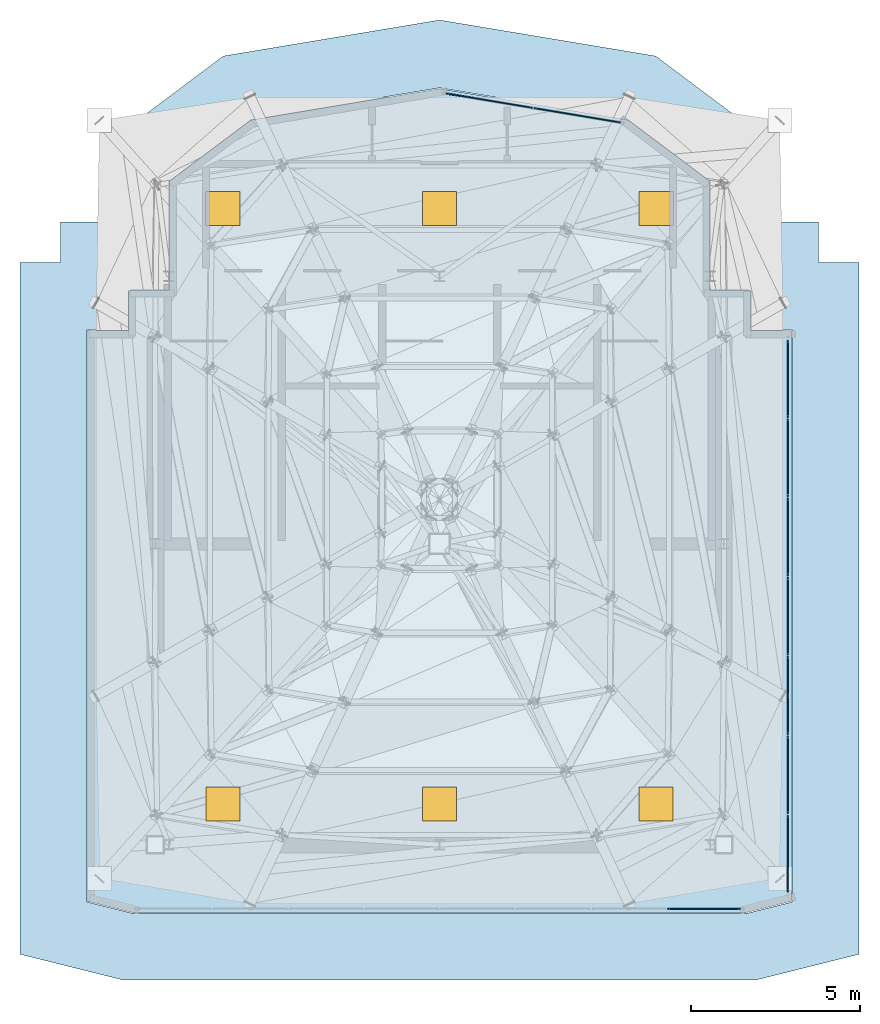
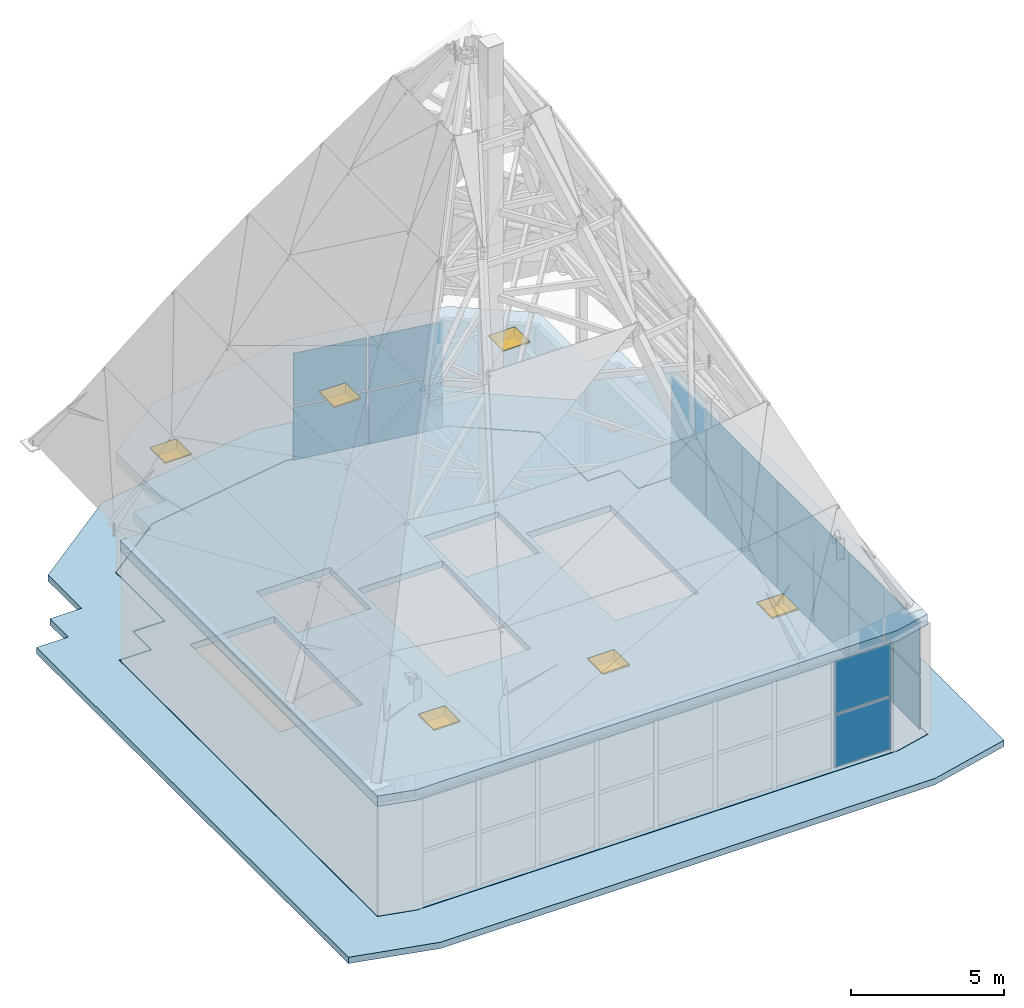
# One storey, part 19 of 30: 20 plates, 6 doors, 3 slabs, 6 openings, 3 elements without a shape of their own.
"""IFC4 building model written with IfcOpenShell, lengths in metres."""

from ifc_helpers import new_model, si_unit, direction, frame, origin, origin_2d, place, context, subcontext, project, spatial, polyline, rectangle, outline, extrude, material, layer, layer_set, type_object, element, fill, aggregate, save


model = new_model("IFC4")

# Units and contexts
model_context = context("Model", 3, precision=1e-05, world=origin(), true_north=direction((0.0, 1.0)))
body_context = subcontext(model_context, "Body", "Model", "MODEL_VIEW")
ifc_project = project(units=[si_unit("LENGTHUNIT", "METRE"), si_unit("AREAUNIT", "SQUARE_METRE"), si_unit("VOLUMEUNIT", "CUBIC_METRE"), si_unit("PLANEANGLEUNIT", "RADIAN"), si_unit("MASSUNIT", "GRAM", prefix="KILO")], contexts=[model_context])

# Site, building, storey
site_placement = place(None, origin())
site = spatial("IfcSite", under=ifc_project, at=site_placement, CompositionType="ELEMENT")
building_placement = place(site_placement, origin())
building = spatial("IfcBuilding", under=site, at=building_placement, Name="Haolan Belvedere Tower", CompositionType="ELEMENT")
storey_placement = place(building_placement, frame((0.0, 0.0, 333.0)))
storey = spatial("IfcBuildingStorey", under=building, at=storey_placement, Name="L83", CompositionType="ELEMENT", Elevation=333.0)

# Curtain wall, plates
ifc_material_1 = material(Name="Anodised champagne-silver aluminium 6063-T6 and Low-E glass", Category="aluminium")
ifc_layer_1 = layer(ifc_material_1, 0.172119140625, Name="Anodised champagne-silver aluminium 6063-T6 and Low-E glass")
ifc_layer_set_1 = layer_set([ifc_layer_1], Name="Anodised champagne-silver aluminium 6063-T6 and Low-E glass")
curtain_wall_type = type_object("IfcCurtainWallType", Name="CW-SYS-07", PredefinedType="NOTDEFINED", material=ifc_layer_set_1)
curtain_wall_1_placement = place(storey_placement, origin())
curtain_wall_1 = element("IfcCurtainWall", 1, at=curtain_wall_1_placement, inside=storey, type_object=curtain_wall_type, Name="L83 CW-SYS-07 ribbon curtain wall 2.1", PredefinedType="NOTDEFINED")
ifc_material_2 = material(Name="Double silver Low-E laminated insulating glass", Category="glass")
ifc_layer_2 = layer(ifc_material_2, 0.030029296875, Name="Double silver Low-E laminated insulating glass")
ifc_layer_set_2 = layer_set([ifc_layer_2], Name="Double silver Low-E laminated insulating glass")
plate_type = type_object("IfcPlateType", Name="CW-SYS-07-PNL", PredefinedType="CURTAIN_PANEL", material=ifc_layer_set_2)
plate_1_placement = place(storey_placement, frame((46.21923828125, 24.510009765625, 0.05810546875), z_axis=(0.0, 0.0, 1.0), x_axis=(1.0, 0.0, 0.0)))
plate_1 = element("IfcPlate", 2, at=plate_1_placement, type_object=plate_type, Name="CW-07 panel 8.1", PredefinedType="CURTAIN_PANEL", context=body_context, shape_type="SweptSolid", body=[
    extrude(rectangle(XDim=2.1455078125, YDim=0.030029296875, at=origin_2d()), origin(), (0.0, 0.0, 1.0), 2.10302734375),
])
plate_2_placement = place(storey_placement, frame((46.21923828125, 24.510009765625, 2.218994140625), z_axis=(0.0, 0.0, 1.0), x_axis=(1.0, 0.0, 0.0)))
plate_2 = element("IfcPlate", 3, at=plate_2_placement, type_object=plate_type, Name="CW-07 panel 8.2", PredefinedType="CURTAIN_PANEL", context=body_context, shape_type="SweptSolid", body=[
    extrude(rectangle(XDim=2.1455078125, YDim=0.030029296875, at=origin_2d()), origin(), (0.0, 0.0, 1.0), 2.10302734375),
])
aggregate(curtain_wall_1, [plate_1, plate_2])

curtain_wall_2_placement = place(storey_placement, origin())
curtain_wall_2 = element("IfcCurtainWall", 4, at=curtain_wall_2_placement, inside=storey, type_object=curtain_wall_type, Name="L83 CW-SYS-07 ribbon curtain wall 4.1", PredefinedType="NOTDEFINED")
plate_3_placement = place(storey_placement, frame((48.68994140625, 26.135986328125, 0.05810546875), z_axis=(0.0, 0.0, 1.0), x_axis=(0.0, 1.0, 0.0)))
plate_3 = element("IfcPlate", 5, at=plate_3_placement, type_object=plate_type, Name="CW-07 panel 1.1", PredefinedType="CURTAIN_PANEL", context=body_context, shape_type="SweptSolid", body=[
    extrude(rectangle(XDim=2.25, YDim=0.030029296875, at=origin_2d()), origin(), (0.0, 0.0, 1.0), 2.10302734375),
])
plate_4_placement = place(storey_placement, frame((48.68994140625, 26.135986328125, 2.218994140625), z_axis=(0.0, 0.0, 1.0), x_axis=(0.0, 1.0, 0.0)))
plate_4 = element("IfcPlate", 6, at=plate_4_placement, type_object=plate_type, Name="CW-07 panel 1.2", PredefinedType="CURTAIN_PANEL", context=body_context, shape_type="SweptSolid", body=[
    extrude(rectangle(XDim=2.25, YDim=0.030029296875, at=origin_2d()), origin(), (0.0, 0.0, 1.0), 2.10302734375),
])
plate_5_placement = place(storey_placement, frame((48.68994140625, 28.46337890625, 0.05810546875), z_axis=(0.0, 0.0, 1.0), x_axis=(0.0, 1.0, 0.0)))
plate_5 = element("IfcPlate", 7, at=plate_5_placement, type_object=plate_type, Name="CW-07 panel 2.1", PredefinedType="CURTAIN_PANEL", context=body_context, shape_type="SweptSolid", body=[
    extrude(rectangle(XDim=2.281005859375, YDim=0.030029296875, at=origin_2d()), origin(), (0.0, 0.0, 1.0), 2.10302734375),
])
plate_6_placement = place(storey_placement, frame((48.68994140625, 28.46337890625, 2.218994140625), z_axis=(0.0, 0.0, 1.0), x_axis=(0.0, 1.0, 0.0)))
plate_6 = element("IfcPlate", 8, at=plate_6_placement, type_object=plate_type, Name="CW-07 panel 2.2", PredefinedType="CURTAIN_PANEL", context=body_context, shape_type="SweptSolid", body=[
    extrude(rectangle(XDim=2.281005859375, YDim=0.030029296875, at=origin_2d()), origin(), (0.0, 0.0, 1.0), 2.10302734375),
])
plate_7_placement = place(storey_placement, frame((48.68994140625, 30.806396484375, 0.05810546875), z_axis=(0.0, 0.0, 1.0), x_axis=(0.0, 1.0, 0.0)))
plate_7 = element("IfcPlate", 9, at=plate_7_placement, type_object=plate_type, Name="CW-07 panel 3.1", PredefinedType="CURTAIN_PANEL", context=body_context, shape_type="SweptSolid", body=[
    extrude(rectangle(XDim=2.281005859375, YDim=0.030029296875, at=origin_2d()), origin(), (0.0, 0.0, 1.0), 2.10302734375),
])
plate_8_placement = place(storey_placement, frame((48.68994140625, 30.806396484375, 2.218994140625), z_axis=(0.0, 0.0, 1.0), x_axis=(0.0, 1.0, 0.0)))
plate_8 = element("IfcPlate", 10, at=plate_8_placement, type_object=plate_type, Name="CW-07 panel 3.2", PredefinedType="CURTAIN_PANEL", context=body_context, shape_type="SweptSolid", body=[
    extrude(rectangle(XDim=2.281005859375, YDim=0.030029296875, at=origin_2d()), origin(), (0.0, 0.0, 1.0), 2.10302734375),
])
plate_9_placement = place(storey_placement, frame((48.68994140625, 33.1494140625, 0.05810546875), z_axis=(0.0, 0.0, 1.0), x_axis=(0.0, 1.0, 0.0)))
plate_9 = element("IfcPlate", 11, at=plate_9_placement, type_object=plate_type, Name="CW-07 panel 4.1", PredefinedType="CURTAIN_PANEL", context=body_context, shape_type="SweptSolid", body=[
    extrude(rectangle(XDim=2.281005859375, YDim=0.030029296875, at=origin_2d()), origin(), (0.0, 0.0, 1.0), 2.10302734375),
])
plate_10_placement = place(storey_placement, frame((48.68994140625, 33.1494140625, 2.218994140625), z_axis=(0.0, 0.0, 1.0), x_axis=(0.0, 1.0, 0.0)))
plate_10 = element("IfcPlate", 12, at=plate_10_placement, type_object=plate_type, Name="CW-07 panel 4.2", PredefinedType="CURTAIN_PANEL", context=body_context, shape_type="SweptSolid", body=[
    extrude(rectangle(XDim=2.281005859375, YDim=0.030029296875, at=origin_2d()), origin(), (0.0, 0.0, 1.0), 2.10302734375),
])
plate_11_placement = place(storey_placement, frame((48.68994140625, 35.492431640625, 0.05810546875), z_axis=(0.0, 0.0, 1.0), x_axis=(0.0, 1.0, 0.0)))
plate_11 = element("IfcPlate", 13, at=plate_11_placement, type_object=plate_type, Name="CW-07 panel 5.1", PredefinedType="CURTAIN_PANEL", context=body_context, shape_type="SweptSolid", body=[
    extrude(rectangle(XDim=2.281005859375, YDim=0.030029296875, at=origin_2d()), origin(), (0.0, 0.0, 1.0), 2.10302734375),
])
plate_12_placement = place(storey_placement, frame((48.68994140625, 35.492431640625, 2.218994140625), z_axis=(0.0, 0.0, 1.0), x_axis=(0.0, 1.0, 0.0)))
plate_12 = element("IfcPlate", 14, at=plate_12_placement, type_object=plate_type, Name="CW-07 panel 5.2", PredefinedType="CURTAIN_PANEL", context=body_context, shape_type="SweptSolid", body=[
    extrude(rectangle(XDim=2.281005859375, YDim=0.030029296875, at=origin_2d()), origin(), (0.0, 0.0, 1.0), 2.10302734375),
])
plate_13_placement = place(storey_placement, frame((48.68994140625, 37.83544921875, 0.05810546875), z_axis=(0.0, 0.0, 1.0), x_axis=(0.0, 1.0, 0.0)))
plate_13 = element("IfcPlate", 15, at=plate_13_placement, type_object=plate_type, Name="CW-07 panel 6.1", PredefinedType="CURTAIN_PANEL", context=body_context, shape_type="SweptSolid", body=[
    extrude(rectangle(XDim=2.281005859375, YDim=0.030029296875, at=origin_2d()), origin(), (0.0, 0.0, 1.0), 2.10302734375),
])
plate_14_placement = place(storey_placement, frame((48.68994140625, 37.83544921875, 2.218994140625), z_axis=(0.0, 0.0, 1.0), x_axis=(0.0, 1.0, 0.0)))
plate_14 = element("IfcPlate", 16, at=plate_14_placement, type_object=plate_type, Name="CW-07 panel 6.2", PredefinedType="CURTAIN_PANEL", context=body_context, shape_type="SweptSolid", body=[
    extrude(rectangle(XDim=2.281005859375, YDim=0.030029296875, at=origin_2d()), origin(), (0.0, 0.0, 1.0), 2.10302734375),
])
plate_15_placement = place(storey_placement, frame((48.68994140625, 40.1630859375, 0.05810546875), z_axis=(0.0, 0.0, 1.0), x_axis=(0.0, 1.0, 0.0)))
plate_15 = element("IfcPlate", 17, at=plate_15_placement, type_object=plate_type, Name="CW-07 panel 7.1", PredefinedType="CURTAIN_PANEL", context=body_context, shape_type="SweptSolid", body=[
    extrude(rectangle(XDim=2.25, YDim=0.030029296875, at=origin_2d()), origin(), (0.0, 0.0, 1.0), 2.10302734375),
])
plate_16_placement = place(storey_placement, frame((48.68994140625, 40.1630859375, 2.218994140625), z_axis=(0.0, 0.0, 1.0), x_axis=(0.0, 1.0, 0.0)))
plate_16 = element("IfcPlate", 18, at=plate_16_placement, type_object=plate_type, Name="CW-07 panel 7.2", PredefinedType="CURTAIN_PANEL", context=body_context, shape_type="SweptSolid", body=[
    extrude(rectangle(XDim=2.25, YDim=0.030029296875, at=origin_2d()), origin(), (0.0, 0.0, 1.0), 2.10302734375),
])
aggregate(curtain_wall_2, [plate_3, plate_4, plate_5, plate_6, plate_7, plate_8, plate_9, plate_10, plate_11, plate_12, plate_13, plate_14, plate_15, plate_16])

curtain_wall_3_placement = place(storey_placement, origin())
curtain_wall_3 = element("IfcCurtainWall", 19, at=curtain_wall_3_placement, inside=storey, type_object=curtain_wall_type, Name="L83 CW-SYS-07 ribbon curtain wall 10.1", PredefinedType="NOTDEFINED")
plate_17_placement = place(storey_placement, frame((42.467529296875, 47.955322265625, 0.05810546875), z_axis=(0.0, 0.0, 1.0), x_axis=(-0.986393923832, 0.164398987305, 0.0)))
plate_17 = element("IfcPlate", 20, at=plate_17_placement, type_object=plate_type, Name="CW-07 panel 1.1", PredefinedType="CURTAIN_PANEL", context=body_context, shape_type="SweptSolid", body=[
    extrude(rectangle(XDim=2.572998046875, YDim=0.030029296875, at=origin_2d()), origin(), (0.0, 0.0, 1.0), 2.10302734375),
])
plate_18_placement = place(storey_placement, frame((42.467529296875, 47.955322265625, 2.218994140625), z_axis=(0.0, 0.0, 1.0), x_axis=(-0.986393923832, 0.164398987305, 0.0)))
plate_18 = element("IfcPlate", 21, at=plate_18_placement, type_object=plate_type, Name="CW-07 panel 1.2", PredefinedType="CURTAIN_PANEL", context=body_context, shape_type="SweptSolid", body=[
    extrude(rectangle(XDim=2.572998046875, YDim=0.030029296875, at=origin_2d()), origin(), (0.0, 0.0, 1.0), 2.10302734375),
])
plate_19_placement = place(storey_placement, frame((39.868408203125, 48.388671875, 0.05810546875), z_axis=(0.0, 0.0, 1.0), x_axis=(-0.986393923832, 0.164398987305, 0.0)))
plate_19 = element("IfcPlate", 22, at=plate_19_placement, type_object=plate_type, Name="CW-07 panel 2.1", PredefinedType="CURTAIN_PANEL", context=body_context, shape_type="SweptSolid", body=[
    extrude(rectangle(XDim=2.572998046875, YDim=0.030029296875, at=origin_2d()), origin(), (0.0, 0.0, 1.0), 2.10302734375),
])
plate_20_placement = place(storey_placement, frame((39.868408203125, 48.388671875, 2.218994140625), z_axis=(0.0, 0.0, 1.0), x_axis=(-0.986393923832, 0.164398987305, 0.0)))
plate_20 = element("IfcPlate", 23, at=plate_20_placement, type_object=plate_type, Name="CW-07 panel 2.2", PredefinedType="CURTAIN_PANEL", context=body_context, shape_type="SweptSolid", body=[
    extrude(rectangle(XDim=2.572998046875, YDim=0.030029296875, at=origin_2d()), origin(), (0.0, 0.0, 1.0), 2.10302734375),
])
aggregate(curtain_wall_3, [plate_17, plate_18, plate_19, plate_20])

# Slabs
ifc_material_3 = material(Name="Concrete C40/50", Category="concrete")
ifc_layer_3 = layer(ifc_material_3, 0.25, Name="Concrete C40/50")
ifc_layer_set_3 = layer_set([ifc_layer_3], Name="Concrete C40/50")
slab_type_1 = type_object("IfcSlabType", Name="SL-FLR-250", PredefinedType="FLOOR", material=ifc_layer_set_3)
slab_1_placement = place(storey_placement, frame((0.0, 0.0, -0.25)))
element("IfcSlab", 24, at=slab_1_placement, inside=storey, type_object=slab_type_1, Name="L83 structural floor slab", PredefinedType="FLOOR", context=body_context, shape_type="SweptSolid", body=[
    extrude(outline(polyline([(28.0, 41.60009765625), (29.199951171875, 41.60009765625), (29.199951171875, 42.800048828125), (30.39990234375, 42.800048828125), (30.39990234375, 46.0), (32.819580078125, 47.814697265625), (38.39990234375, 48.744873046875), (43.980224609375, 47.814697265625), (46.39990234375, 46.0), (46.39990234375, 42.800048828125), (47.60009765625, 42.800048828125), (47.60009765625, 41.60009765625), (48.800048828125, 41.60009765625), (48.800048828125, 24.72314453125), (47.507568359375, 24.39990234375), (29.29248046875, 24.39990234375), (28.0, 24.72314453125), (28.0, 41.60009765625)]), holes=[polyline([(30.449951171875, 41.22998046875), (30.449951171875, 35.449951171875), (33.6298828125, 35.449951171875), (33.6298828125, 41.22998046875), (30.449951171875, 41.22998046875)]), polyline([(36.81005859375, 41.22998046875), (36.81005859375, 35.449951171875), (39.989990234375, 35.449951171875), (39.989990234375, 41.22998046875), (36.81005859375, 41.22998046875)]), polyline([(43.169921875, 41.22998046875), (43.169921875, 35.449951171875), (46.35009765625, 35.449951171875), (46.35009765625, 41.22998046875), (43.169921875, 41.22998046875)]), polyline([(33.830078125, 40.050048828125), (36.610107421875, 40.050048828125), (36.610107421875, 42.75), (33.830078125, 42.75), (33.830078125, 40.050048828125)]), polyline([(40.18994140625, 40.050048828125), (42.969970703125, 40.050048828125), (42.969970703125, 42.75), (40.18994140625, 42.75), (40.18994140625, 40.050048828125)])]), origin(), (0.0, 0.0, 1.0), 0.25),
])
slab_2_placement = place(storey_placement, frame((0.0, 0.0, -0.25)))
element("IfcSlab", 25, at=slab_2_placement, inside=storey, type_object=slab_type_1, Name="L82 crown mechanical plant step-back roof slab", PredefinedType="ROOF", context=body_context, shape_type="SweptSolid", body=[
    extrude(outline(polyline([(26.0, 43.60009765625), (27.199951171875, 43.60009765625), (27.199951171875, 44.800048828125), (28.39990234375, 44.800048828125), (28.39990234375, 47.0), (32.009765625, 49.70751953125), (38.39990234375, 50.7724609375), (44.790283203125, 49.70751953125), (48.39990234375, 47.0), (48.39990234375, 44.800048828125), (49.60009765625, 44.800048828125), (49.60009765625, 43.60009765625), (50.800048828125, 43.60009765625), (50.800048828125, 23.16162109375), (47.75390625, 22.39990234375), (29.046142578125, 22.39990234375), (26.0, 23.16162109375), (26.0, 43.60009765625)]), holes=[polyline([(27.97998046875, 41.6201171875), (29.179931640625, 41.6201171875), (29.179931640625, 42.820068359375), (30.3798828125, 42.820068359375), (30.3798828125, 46.010009765625), (32.8115234375, 47.833740234375), (38.39990234375, 48.76513671875), (43.98828125, 47.833740234375), (46.419921875, 46.010009765625), (46.419921875, 42.820068359375), (47.6201171875, 42.820068359375), (47.6201171875, 41.6201171875), (48.820068359375, 41.6201171875), (48.820068359375, 24.70751953125), (47.510009765625, 24.3798828125), (29.289794921875, 24.3798828125), (27.97998046875, 24.70751953125), (27.97998046875, 41.6201171875)])]), origin(), (0.0, 0.0, 1.0), 0.25),
])

# Slab, openings, doors
ifc_material_4 = material(Name="Concrete C50/60", Category="concrete")
ifc_layer_4 = layer(ifc_material_4, 0.419921875, Name="Concrete C50/60")
ifc_layer_set_4 = layer_set([ifc_layer_4], Name="Concrete C50/60")
slab_type_2 = type_object("IfcSlabType", Name="SL-FLR-420", PredefinedType="FLOOR", material=ifc_layer_set_4)
slab_3_placement = place(storey_placement, frame((0.0, 0.0, 4.3798828125)))
slab_3 = element("IfcSlab", 26, at=slab_3_placement, inside=storey, type_object=slab_type_2, Name="L83 crown plant top structural diaphragm deck", PredefinedType="FLOOR", context=body_context, shape_type="SweptSolid", body=[
    extrude(outline(polyline([(28.0, 41.60009765625), (29.199951171875, 41.60009765625), (29.199951171875, 42.800048828125), (30.39990234375, 42.800048828125), (30.39990234375, 46.0), (32.819580078125, 47.814697265625), (38.39990234375, 48.744873046875), (43.980224609375, 47.814697265625), (46.39990234375, 46.0), (46.39990234375, 42.800048828125), (47.60009765625, 42.800048828125), (47.60009765625, 41.60009765625), (48.800048828125, 41.60009765625), (48.800048828125, 24.72314453125), (47.507568359375, 24.39990234375), (29.29248046875, 24.39990234375), (28.0, 24.72314453125), (28.0, 41.60009765625)])), origin(), (0.0, 0.0, 1.0), 0.420166015625),
])
opening_1_placement = place(slab_3_placement, frame((32.0, 27.60009765625, 0.0)))
opening_1 = element("IfcOpeningElement", 27, at=opening_1_placement, cuts=slab_3, Name="Opening RH-01", PredefinedType="OPENING", context=body_context, shape_type="SweptSolid", body=[
    extrude(rectangle(XDim=1.0, YDim=1.0, at=origin_2d()), frame((0.0, 0.0, -0.010009765625)), (0.0, 0.0, 1.0), 0.440185546875),
])
opening_2_placement = place(slab_3_placement, frame((44.800048828125, 27.60009765625, 0.0)))
opening_2 = element("IfcOpeningElement", 28, at=opening_2_placement, cuts=slab_3, Name="Opening RH-01", PredefinedType="OPENING", context=body_context, shape_type="SweptSolid", body=[
    extrude(rectangle(XDim=1.0, YDim=1.0, at=origin_2d()), frame((0.0, 0.0, -0.010009765625)), (0.0, 0.0, 1.0), 0.440185546875),
])
opening_3_placement = place(slab_3_placement, frame((32.0, 45.199951171875, 0.0)))
opening_3 = element("IfcOpeningElement", 29, at=opening_3_placement, cuts=slab_3, Name="Opening RH-01", PredefinedType="OPENING", context=body_context, shape_type="SweptSolid", body=[
    extrude(rectangle(XDim=1.0, YDim=1.0, at=origin_2d()), frame((0.0, 0.0, -0.010009765625)), (0.0, 0.0, 1.0), 0.440185546875),
])
opening_4_placement = place(slab_3_placement, frame((44.800048828125, 45.199951171875, 0.0)))
opening_4 = element("IfcOpeningElement", 30, at=opening_4_placement, cuts=slab_3, Name="Opening RH-01", PredefinedType="OPENING", context=body_context, shape_type="SweptSolid", body=[
    extrude(rectangle(XDim=1.0, YDim=1.0, at=origin_2d()), frame((0.0, 0.0, -0.010009765625)), (0.0, 0.0, 1.0), 0.440185546875),
])
opening_5_placement = place(slab_3_placement, frame((38.39990234375, 27.60009765625, 0.0)))
opening_5 = element("IfcOpeningElement", 31, at=opening_5_placement, cuts=slab_3, Name="Opening RH-01", PredefinedType="OPENING", context=body_context, shape_type="SweptSolid", body=[
    extrude(rectangle(XDim=1.0, YDim=1.0, at=origin_2d()), frame((0.0, 0.0, -0.010009765625)), (0.0, 0.0, 1.0), 0.440185546875),
])
opening_6_placement = place(slab_3_placement, frame((38.39990234375, 45.199951171875, 0.0)))
opening_6 = element("IfcOpeningElement", 32, at=opening_6_placement, cuts=slab_3, Name="Opening RH-01", PredefinedType="OPENING", context=body_context, shape_type="SweptSolid", body=[
    extrude(rectangle(XDim=1.0, YDim=1.0, at=origin_2d()), frame((0.0, 0.0, -0.010009765625)), (0.0, 0.0, 1.0), 0.440185546875),
])
ifc_material_5 = material(Name="Insulated aluminium roof hatch", Category="aluminium")
door_type = type_object("IfcDoorType", Name="DR-HATCH-1000", OperationType="SINGLE_SWING_LEFT", PredefinedType="TRAPDOOR", material=ifc_material_5)
door_1_placement = place(opening_1_placement, frame((0.0, 0.0, 0.3701171875)))
door_1 = element("IfcDoor", 33, at=door_1_placement, inside=storey, type_object=door_type, Name="L83 maintenance access roof hatch HTCH-L83-1", OperationType="SINGLE_SWING_LEFT", OverallHeight=1.0, OverallWidth=1.0, PredefinedType="TRAPDOOR", context=body_context, shape_type="SweptSolid", body=[
    extrude(rectangle(XDim=1.0, YDim=1.0, at=origin_2d()), origin(), (0.0, 0.0, 1.0), 0.050048828125),
])
fill(opening_1, door_1)
door_2_placement = place(opening_2_placement, frame((0.0, 0.0, 0.3701171875)))
door_2 = element("IfcDoor", 34, at=door_2_placement, inside=storey, type_object=door_type, Name="L83 maintenance access roof hatch HTCH-L83-2", OperationType="SINGLE_SWING_LEFT", OverallHeight=1.0, OverallWidth=1.0, PredefinedType="TRAPDOOR", context=body_context, shape_type="SweptSolid", body=[
    extrude(rectangle(XDim=1.0, YDim=1.0, at=origin_2d()), origin(), (0.0, 0.0, 1.0), 0.050048828125),
])
fill(opening_2, door_2)
door_3_placement = place(opening_3_placement, frame((0.0, 0.0, 0.3701171875)))
door_3 = element("IfcDoor", 35, at=door_3_placement, inside=storey, type_object=door_type, Name="L83 maintenance access roof hatch HTCH-L83-3", OperationType="SINGLE_SWING_LEFT", OverallHeight=1.0, OverallWidth=1.0, PredefinedType="TRAPDOOR", context=body_context, shape_type="SweptSolid", body=[
    extrude(rectangle(XDim=1.0, YDim=1.0, at=origin_2d()), origin(), (0.0, 0.0, 1.0), 0.050048828125),
])
fill(opening_3, door_3)
door_4_placement = place(opening_4_placement, frame((0.0, 0.0, 0.3701171875)))
door_4 = element("IfcDoor", 36, at=door_4_placement, inside=storey, type_object=door_type, Name="L83 maintenance access roof hatch HTCH-L83-4", OperationType="SINGLE_SWING_LEFT", OverallHeight=1.0, OverallWidth=1.0, PredefinedType="TRAPDOOR", context=body_context, shape_type="SweptSolid", body=[
    extrude(rectangle(XDim=1.0, YDim=1.0, at=origin_2d()), origin(), (0.0, 0.0, 1.0), 0.050048828125),
])
fill(opening_4, door_4)
door_5_placement = place(opening_5_placement, frame((0.0, 0.0, 0.3701171875)))
door_5 = element("IfcDoor", 37, at=door_5_placement, inside=storey, type_object=door_type, Name="L83 maintenance access roof hatch HTCH-L83-5", OperationType="SINGLE_SWING_LEFT", OverallHeight=1.0, OverallWidth=1.0, PredefinedType="TRAPDOOR", context=body_context, shape_type="SweptSolid", body=[
    extrude(rectangle(XDim=1.0, YDim=1.0, at=origin_2d()), origin(), (0.0, 0.0, 1.0), 0.050048828125),
])
fill(opening_5, door_5)
door_6_placement = place(opening_6_placement, frame((0.0, 0.0, 0.3701171875)))
door_6 = element("IfcDoor", 38, at=door_6_placement, inside=storey, type_object=door_type, Name="L83 maintenance access roof hatch HTCH-L83-6", OperationType="SINGLE_SWING_LEFT", OverallHeight=1.0, OverallWidth=1.0, PredefinedType="TRAPDOOR", context=body_context, shape_type="SweptSolid", body=[
    extrude(rectangle(XDim=1.0, YDim=1.0, at=origin_2d()), origin(), (0.0, 0.0, 1.0), 0.050048828125),
])
fill(opening_6, door_6)

save(model, "model.ifc")
